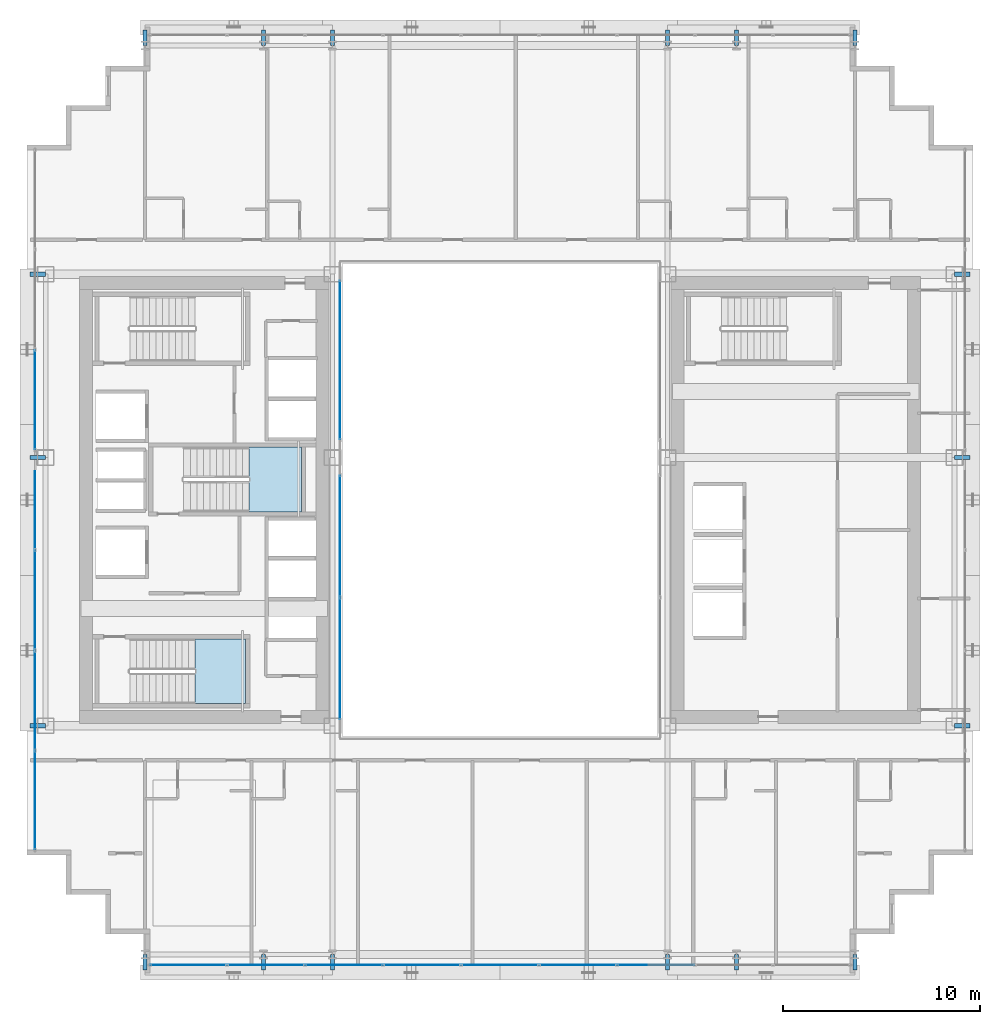
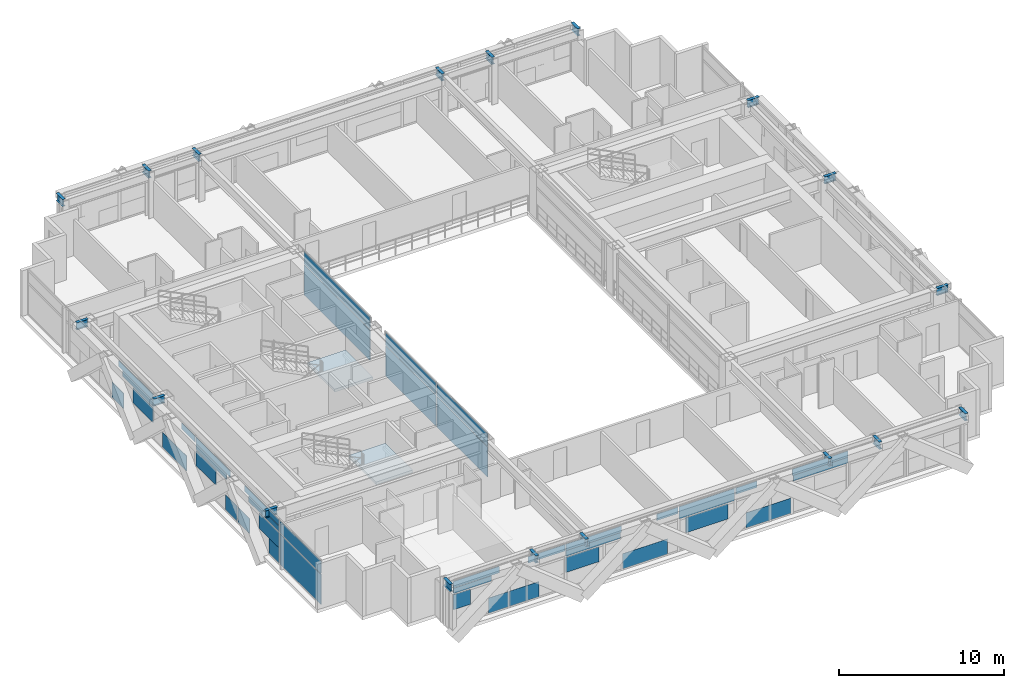
# One storey, part 26 of 39: 40 plates, 18 beams, 2 slabs, 6 elements without a shape of their own.
"""IFC4 building model written with IfcOpenShell, lengths in metres."""

from ifc_helpers import new_model, si_unit, direction, frame, origin, origin_2d, place, context, subcontext, project, spatial, polyline, rectangle, i_section, outline, extrude, source, transform, mapped, material, layer, layer_set, material_profile, profile_set, type_object, element, aggregate, save


model = new_model("IFC4")

# Units and contexts
model_context = context("Model", 3, precision=1e-05, world=origin(), true_north=direction((0.0, 1.0)))
body_context = subcontext(model_context, "Body", "Model", "MODEL_VIEW")
ifc_project = project(units=[si_unit("LENGTHUNIT", "METRE"), si_unit("AREAUNIT", "SQUARE_METRE"), si_unit("VOLUMEUNIT", "CUBIC_METRE"), si_unit("PLANEANGLEUNIT", "RADIAN"), si_unit("MASSUNIT", "GRAM", prefix="KILO")], contexts=[model_context])

# Site, building, storey
site_placement = place(None, origin())
site = spatial("IfcSite", under=ifc_project, at=site_placement, CompositionType="ELEMENT")
building_placement = place(site_placement, origin())
building = spatial("IfcBuilding", under=site, at=building_placement, Name="Ocotamira Hotel", CompositionType="ELEMENT")
storey_placement = place(building_placement, frame((0.0, 0.0, 126.0)))
storey = spatial("IfcBuildingStorey", under=building, at=storey_placement, Name="L31", CompositionType="ELEMENT", Elevation=126.0)

# Beams
ifc_material_1 = material(Name="Steel ASTM A992 Grade 50", Category="steel")
ifc_material_profile = material_profile(ifc_material_1, i_section(OverallWidth=0.2099609375, OverallDepth=0.537109375, WebThickness=0.010986328125, FlangeThickness=0.017333984375, FilletRadius=0.012939453125, at=origin_2d()), Name="W21X68")
ifc_profile_set = profile_set([ifc_material_profile], Name="Steel ASTM A992 Grade 50")
beam_type = type_object("IfcBeamType", Name="BM-SEC-W21X68", PredefinedType="JOIST", material=ifc_profile_set)
shared_shape_1 = source(origin(), body_context, "Body", "SweptSolid", [
    extrude(i_section(OverallWidth=0.2099609375, OverallDepth=0.537109375, WebThickness=0.010986328125, FlangeThickness=0.017333984375, FilletRadius=0.012939453125, at=origin_2d()), origin(), (0.0, 0.0, 1.0), 0.800048828125),
])
for number, where, z_axis, x_axis, name in (
    (1, (14.0, 2.949951171875, 3.091552734375), (0.0, -1.0, 0.0), (1.0, 0.0, 0.0), "L31 South Edge Header X14"),
    (2, (14.0, 49.050048828125, 3.091552734375), (0.0, 1.0, 0.0), (-1.0, 0.0, 0.0), "L31 North Edge Header X14"),
    (3, (20.0, 2.949951171875, 3.091552734375), (0.0, -1.0, 0.0), (1.0, 0.0, 0.0), "L31 South Edge Header X20"),
    (4, (20.0, 49.050048828125, 3.091552734375), (0.0, 1.0, 0.0), (-1.0, 0.0, 0.0), "L31 North Edge Header X20"),
    (5, (23.5, 2.949951171875, 3.091552734375), (0.0, -1.0, 0.0), (1.0, 0.0, 0.0), "L31 South Edge Header X23.5"),
    (6, (23.5, 49.050048828125, 3.091552734375), (0.0, 1.0, 0.0), (-1.0, 0.0, 0.0), "L31 North Edge Header X23.5"),
    (7, (40.5, 2.949951171875, 3.091552734375), (0.0, -1.0, 0.0), (1.0, 0.0, 0.0), "L31 South Edge Header X40.5"),
    (8, (40.5, 49.050048828125, 3.091552734375), (0.0, 1.0, 0.0), (-1.0, 0.0, 0.0), "L31 North Edge Header X40.5"),
    (9, (44.0, 2.949951171875, 3.091552734375), (0.0, -1.0, 0.0), (1.0, 0.0, 0.0), "L31 South Edge Header X44"),
    (10, (44.0, 49.050048828125, 3.091552734375), (0.0, 1.0, 0.0), (-1.0, 0.0, 0.0), "L31 North Edge Header X44"),
    (11, (50.0, 2.949951171875, 3.091552734375), (0.0, -1.0, 0.0), (1.0, 0.0, 0.0), "L31 South Edge Header X50"),
    (12, (50.0, 49.050048828125, 3.091552734375), (0.0, 1.0, 0.0), (-1.0, 0.0, 0.0), "L31 North Edge Header X50"),
    (13, (8.949951171875, 14.550048828125, 3.091552734375), (-1.0, 0.0, 0.0), (0.0, -1.0, 0.0), "L31 West Edge Header Y14.55"),
    (14, (55.050048828125, 14.550048828125, 3.091552734375), (1.0, 0.0, 0.0), (0.0, 1.0, 0.0), "L31 East Edge Header Y14.55"),
    (15, (8.949951171875, 28.14990234375, 3.091552734375), (-1.0, 0.0, 0.0), (0.0, -1.0, 0.0), "L31 West Edge Header Y28.15"),
    (16, (55.050048828125, 28.14990234375, 3.091552734375), (1.0, 0.0, 0.0), (0.0, 1.0, 0.0), "L31 East Edge Header Y28.15"),
    (17, (8.949951171875, 37.449951171875, 3.091552734375), (-1.0, 0.0, 0.0), (0.0, -1.0, 0.0), "L31 West Edge Header Y37.45"),
    (18, (55.050048828125, 37.449951171875, 3.091552734375), (1.0, 0.0, 0.0), (0.0, 1.0, 0.0), "L31 East Edge Header Y37.45"),
):
    element("IfcBeam", number, at=place(storey_placement, frame(where, z_axis=z_axis, x_axis=x_axis)), inside=storey, type_object=beam_type, Name=name, PredefinedType="JOIST", context=body_context, shape_type="MappedRepresentation", body=[
        mapped(shared_shape_1, transform((0.0, 0.0, 0.0), scale=1.0)),
    ])

# Stair, slab
ifc_material_2 = material(Name="Concrete C40/50", Category="concrete")
stair_type = type_object("IfcStairType", Name="ST-CORE-1560", PredefinedType="HALF_TURN_STAIR", material=ifc_material_2)
stair_1_placement = place(storey_placement, origin())
stair_1 = element("IfcStair", 19, at=stair_1_placement, inside=storey, type_object=stair_type, Name="L31 Exit Stair ST-1", PredefinedType="HALF_TURN_STAIR")
ifc_layer_1 = layer(ifc_material_2, 0.199951171875)
ifc_layer_set_1 = layer_set([ifc_layer_1], Name="Concrete C40/50")
slab_type = type_object("IfcSlabType", Name="SLB-LAND-200", PredefinedType="LANDING", material=ifc_layer_set_1)
slab_1_placement = place(storey_placement, frame((0.0, 0.0, 1.60009765625)))
slab_1 = element("IfcSlab", 20, at=slab_1_placement, type_object=slab_type, Name="ST-1 landing 1", PredefinedType="LANDING", context=body_context, shape_type="SweptSolid", body=[
    extrude(outline(polyline([(16.530029296875, 15.669921875), (19.090087890625, 15.669921875), (19.090087890625, 18.949951171875), (16.530029296875, 18.949951171875), (16.530029296875, 15.669921875)])), origin(), (0.0, 0.0, 1.0), 0.199951171875),
])
aggregate(stair_1, [slab_1])

stair_2_placement = place(storey_placement, origin())
stair_2 = element("IfcStair", 21, at=stair_2_placement, inside=storey, type_object=stair_type, Name="L31 Exit Stair ST-3", PredefinedType="HALF_TURN_STAIR")
slab_2_placement = place(storey_placement, frame((0.0, 0.0, 1.60009765625)))
slab_2 = element("IfcSlab", 22, at=slab_2_placement, type_object=slab_type, Name="ST-3 landing 1", PredefinedType="LANDING", context=body_context, shape_type="SweptSolid", body=[
    extrude(outline(polyline([(19.260009765625, 25.39990234375), (21.919921875, 25.39990234375), (21.919921875, 28.679931640625), (19.260009765625, 28.679931640625), (19.260009765625, 25.39990234375)])), origin(), (0.0, 0.0, 1.0), 0.199951171875),
])
aggregate(stair_2, [slab_2])

# Curtain wall, plate
ifc_material_3 = material(Name="Anodised pale-metal aluminium and solar glass", Category="aluminium")
ifc_layer_2 = layer(ifc_material_3, 0.179931640625)
ifc_layer_set_2 = layer_set([ifc_layer_2], Name="Anodised pale-metal aluminium and solar glass")
curtain_wall_type_1 = type_object("IfcCurtainWallType", Name="CW-SYS3-Z2", PredefinedType="NOTDEFINED", material=ifc_layer_set_2)
curtain_wall_1_placement = place(storey_placement, origin())
curtain_wall_1 = element("IfcCurtainWall", 23, at=curtain_wall_1_placement, inside=storey, type_object=curtain_wall_type_1, Name="L31 Curtain Wall CW-3 CW-L31-W", PredefinedType="NOTDEFINED")
ifc_material_4 = material(Name="Double-silver low-E insulated solar glass", Category="glass")
ifc_layer_3 = layer(ifc_material_4, 0.031982421875)
ifc_layer_set_3 = layer_set([ifc_layer_3], Name="Double-silver low-E insulated solar glass")
plate_type = type_object("IfcPlateType", Name="CWP-VISION-32", PredefinedType="CURTAIN_PANEL", material=ifc_layer_set_3)
shared_shape_2 = source(origin(), body_context, "Body", "SweptSolid", [
    extrude(rectangle(XDim=4.9658203125, YDim=0.031982421875, at=origin_2d()), origin(), (0.0, 0.0, 1.0), 2.237548828125),
])
plate_1_placement = place(storey_placement, frame((8.419921875, 10.762939453125, 0.0751953125), z_axis=(0.0, 0.0, 1.0), x_axis=(0.0, 1.0, 0.0)))
plate_1 = element("IfcPlate", 24, at=plate_1_placement, type_object=plate_type, Name="CW-3 panel 1.1", PredefinedType="CURTAIN_PANEL", context=body_context, shape_type="MappedRepresentation", body=[
    mapped(shared_shape_2, transform((0.0, 0.0, 0.0), scale=1.0)),
])

# Curtain wall, plates
ifc_layer_4 = layer(ifc_material_3, 0.159912109375)
ifc_layer_set_4 = layer_set([ifc_layer_4], Name="Anodised pale-metal aluminium and solar glass")
curtain_wall_type_2 = type_object("IfcCurtainWallType", Name="CW-SYS6-ATR", PredefinedType="NOTDEFINED", material=ifc_layer_set_4)
curtain_wall_2_placement = place(storey_placement, origin())
curtain_wall_2 = element("IfcCurtainWall", 25, at=curtain_wall_2_placement, inside=storey, type_object=curtain_wall_type_2, Name="L31 Curtain Wall CW-6 CW-L31-ATRW1", PredefinedType="NOTDEFINED")
shared_shape_3 = source(origin(), body_context, "Body", "SweptSolid", [
    extrude(rectangle(XDim=6.1298828125, YDim=0.031982421875, at=origin_2d()), origin(), (0.0, 0.0, 1.0), 2.237548828125),
])
plate_2_placement = place(storey_placement, frame((23.8798828125, 17.945068359375, 0.0751953125), z_axis=(0.0, 0.0, 1.0), x_axis=(0.0, 1.0, 0.0)))
plate_2 = element("IfcPlate", 26, at=plate_2_placement, type_object=plate_type, Name="CW-6 panel 1.1", PredefinedType="CURTAIN_PANEL", context=body_context, shape_type="MappedRepresentation", body=[
    mapped(shared_shape_3, transform((0.0, 0.0, 0.0), scale=1.0)),
])
plate_3_placement = place(storey_placement, frame((23.8798828125, 24.155029296875, 0.0751953125), z_axis=(0.0, 0.0, 1.0), x_axis=(0.0, 1.0, 0.0)))
plate_3 = element("IfcPlate", 27, at=plate_3_placement, type_object=plate_type, Name="CW-6 panel 2.1", PredefinedType="CURTAIN_PANEL", context=body_context, shape_type="MappedRepresentation", body=[
    mapped(shared_shape_3, transform((0.0, 0.0, 0.0), scale=1.0)),
])

# Curtain wall, plate
curtain_wall_3_placement = place(storey_placement, origin())
curtain_wall_3 = element("IfcCurtainWall", 28, at=curtain_wall_3_placement, inside=storey, type_object=curtain_wall_type_2, Name="L31 Curtain Wall CW-6 CW-L31-ATRW2", PredefinedType="NOTDEFINED")
shared_shape_4 = source(origin(), body_context, "Body", "SweptSolid", [
    extrude(rectangle(XDim=8.0400390625, YDim=0.031982421875, at=origin_2d()), origin(), (0.0, 0.0, 1.0), 2.237548828125),
])
plate_4_placement = place(storey_placement, frame((23.8798828125, 33.10009765625, 0.0751953125), z_axis=(0.0, 0.0, 1.0), x_axis=(0.0, 1.0, 0.0)))
plate_4 = element("IfcPlate", 29, at=plate_4_placement, type_object=plate_type, Name="CW-6 panel 1.1", PredefinedType="CURTAIN_PANEL", context=body_context, shape_type="MappedRepresentation", body=[
    mapped(shared_shape_4, transform((0.0, 0.0, 0.0), scale=1.0)),
])

# Curtain wall, plates
curtain_wall_4_placement = place(storey_placement, origin())
curtain_wall_4 = element("IfcCurtainWall", 30, at=curtain_wall_4_placement, inside=storey, type_object=curtain_wall_type_1, Name="L31 Curtain Wall CW-3 CW-L31-S1", PredefinedType="NOTDEFINED")
shared_shape_5 = source(origin(), body_context, "Body", "SweptSolid", [
    extrude(rectangle(XDim=1.184326171875, YDim=0.031982421875, at=origin_2d()), origin(), (0.0, 0.0, 1.0), 1.118896484375),
])
plate_5_placement = place(storey_placement, frame((14.872314453125, 2.419921875, 1.19384765625), z_axis=(0.0, 0.0, 1.0), x_axis=(1.0, 0.0, 0.0)))
plate_5 = element("IfcPlate", 31, at=plate_5_placement, type_object=plate_type, Name="CW-3 panel 1.1.1", PredefinedType="CURTAIN_PANEL", context=body_context, shape_type="MappedRepresentation", body=[
    mapped(shared_shape_5, transform((0.0, 0.0, 0.0), scale=1.0)),
])
shared_shape_6 = source(origin(), body_context, "Body", "SweptSolid", [
    extrude(rectangle(XDim=1.37060546875, YDim=0.031982421875, at=origin_2d()), origin(), (0.0, 0.0, 1.0), 1.11865234375),
])
plate_6_placement = place(storey_placement, frame((17.430419921875, 2.419921875, 0.0751953125), z_axis=(0.0, 0.0, 1.0), x_axis=(1.0, 0.0, 0.0)))
plate_6 = element("IfcPlate", 32, at=plate_6_placement, type_object=plate_type, Name="CW-3 panel 1.1.2", PredefinedType="CURTAIN_PANEL", context=body_context, shape_type="MappedRepresentation", body=[
    mapped(shared_shape_6, transform((0.0, 0.0, 0.0), scale=1.0)),
])
shared_shape_7 = source(origin(), body_context, "Body", "SweptSolid", [
    extrude(rectangle(XDim=2.676513671875, YDim=0.031982421875, at=origin_2d()), origin(), (0.0, 0.0, 1.0), 0.39453125),
])
plate_7_placement = place(storey_placement, frame((15.618408203125, 2.419921875, 2.387451171875), z_axis=(0.0, 0.0, 1.0), x_axis=(1.0, 0.0, 0.0)))
plate_7 = element("IfcPlate", 33, at=plate_7_placement, type_object=plate_type, Name="CW-3 panel 1.2.1", PredefinedType="CURTAIN_PANEL", context=body_context, shape_type="MappedRepresentation", body=[
    mapped(shared_shape_7, transform((0.0, 0.0, 0.0), scale=1.0)),
])
shared_shape_8 = source(origin(), body_context, "Body", "SweptSolid", [
    extrude(rectangle(XDim=3.208740234375, YDim=0.031982421875, at=origin_2d()), origin(), (0.0, 0.0, 1.0), 0.4716796875),
])
plate_8_placement = place(storey_placement, frame((15.884521484375, 2.419921875, 2.813232421875), z_axis=(0.0, 0.0, 1.0), x_axis=(1.0, 0.0, 0.0)))
plate_8 = element("IfcPlate", 34, at=plate_8_placement, type_object=plate_type, Name="CW-3 panel 1.2.2", PredefinedType="CURTAIN_PANEL", context=body_context, shape_type="MappedRepresentation", body=[
    mapped(shared_shape_8, transform((0.0, 0.0, 0.0), scale=1.0)),
])
shared_shape_9 = source(origin(), body_context, "Body", "SweptSolid", [
    extrude(rectangle(XDim=2.059326171875, YDim=0.031982421875, at=origin_2d()), origin(), (0.0, 0.0, 1.0), 1.11865234375),
])
plate_9_placement = place(storey_placement, frame((19.225341796875, 2.419921875, 0.0751953125), z_axis=(0.0, 0.0, 1.0), x_axis=(1.0, 0.0, 0.0)))
plate_9 = element("IfcPlate", 35, at=plate_9_placement, type_object=plate_type, Name="CW-3 panel 2.1.1", PredefinedType="CURTAIN_PANEL", context=body_context, shape_type="MappedRepresentation", body=[
    mapped(shared_shape_9, transform((0.0, 0.0, 0.0), scale=1.0)),
])
shared_shape_10 = source(origin(), body_context, "Body", "SweptSolid", [
    extrude(rectangle(XDim=2.559814453125, YDim=0.031982421875, at=origin_2d()), origin(), (0.0, 0.0, 1.0), 0.4716796875),
])
plate_10_placement = place(storey_placement, frame((20.791259765625, 2.419921875, 2.813232421875), z_axis=(0.0, 0.0, 1.0), x_axis=(1.0, 0.0, 0.0)))
plate_10 = element("IfcPlate", 36, at=plate_10_placement, type_object=plate_type, Name="CW-3 panel 2.2.1", PredefinedType="CURTAIN_PANEL", context=body_context, shape_type="MappedRepresentation", body=[
    mapped(shared_shape_10, transform((0.0, 0.0, 0.0), scale=1.0)),
])
shared_shape_11 = source(origin(), body_context, "Body", "SweptSolid", [
    extrude(rectangle(XDim=2.313232421875, YDim=0.031982421875, at=origin_2d()), origin(), (0.0, 0.0, 1.0), 1.118896484375),
])
plate_11_placement = place(storey_placement, frame((23.3076171875, 2.419921875, 1.19384765625), z_axis=(0.0, 0.0, 1.0), x_axis=(1.0, 0.0, 0.0)))
plate_11 = element("IfcPlate", 37, at=plate_11_placement, type_object=plate_type, Name="CW-3 panel 3.1.1", PredefinedType="CURTAIN_PANEL", context=body_context, shape_type="MappedRepresentation", body=[
    mapped(shared_shape_11, transform((0.0, 0.0, 0.0), scale=1.0)),
])
shared_shape_12 = source(origin(), body_context, "Body", "SweptSolid", [
    extrude(rectangle(XDim=3.805419921875, YDim=0.031982421875, at=origin_2d()), origin(), (0.0, 0.0, 1.0), 0.42578125),
])
plate_12_placement = place(storey_placement, frame((24.0537109375, 2.419921875, 2.387451171875), z_axis=(0.0, 0.0, 1.0), x_axis=(1.0, 0.0, 0.0)))
plate_12 = element("IfcPlate", 38, at=plate_12_placement, type_object=plate_type, Name="CW-3 panel 3.2.1", PredefinedType="CURTAIN_PANEL", context=body_context, shape_type="MappedRepresentation", body=[
    mapped(shared_shape_12, transform((0.0, 0.0, 0.0), scale=1.0)),
])
plate_13_placement = place(storey_placement, frame((39.9462890625, 2.419921875, 2.387451171875), z_axis=(0.0, 0.0, 1.0), x_axis=(1.0, 0.0, 0.0)))
plate_13 = element("IfcPlate", 39, at=plate_13_placement, type_object=plate_type, Name="CW-3 panel 7.2.2", PredefinedType="CURTAIN_PANEL", context=body_context, shape_type="MappedRepresentation", body=[
    mapped(shared_shape_12, transform((0.0, 0.0, 0.0), scale=1.0)),
])
shared_shape_13 = source(origin(), body_context, "Body", "SweptSolid", [
    extrude(rectangle(XDim=3.87548828125, YDim=0.031982421875, at=origin_2d()), origin(), (0.0, 0.0, 1.0), 0.4716796875),
])
plate_14_placement = place(storey_placement, frame((24.0888671875, 2.419921875, 2.813232421875), z_axis=(0.0, 0.0, 1.0), x_axis=(1.0, 0.0, 0.0)))
plate_14 = element("IfcPlate", 40, at=plate_14_placement, type_object=plate_type, Name="CW-3 panel 3.2.2", PredefinedType="CURTAIN_PANEL", context=body_context, shape_type="MappedRepresentation", body=[
    mapped(shared_shape_13, transform((0.0, 0.0, 0.0), scale=1.0)),
])
plate_15_placement = place(storey_placement, frame((39.9111328125, 2.419921875, 2.813232421875), z_axis=(0.0, 0.0, 1.0), x_axis=(1.0, 0.0, 0.0)))
plate_15 = element("IfcPlate", 41, at=plate_15_placement, type_object=plate_type, Name="CW-3 panel 7.2.1", PredefinedType="CURTAIN_PANEL", context=body_context, shape_type="MappedRepresentation", body=[
    mapped(shared_shape_13, transform((0.0, 0.0, 0.0), scale=1.0)),
])
shared_shape_14 = source(origin(), body_context, "Body", "SweptSolid", [
    extrude(rectangle(XDim=3.148193359375, YDim=0.031982421875, at=origin_2d()), origin(), (0.0, 0.0, 1.0), 1.11865234375),
])
plate_16_placement = place(storey_placement, frame((27.680908203125, 2.419921875, 0.0751953125), z_axis=(0.0, 0.0, 1.0), x_axis=(1.0, 0.0, 0.0)))
plate_16 = element("IfcPlate", 42, at=plate_16_placement, type_object=plate_type, Name="CW-3 panel 4.1.1", PredefinedType="CURTAIN_PANEL", context=body_context, shape_type="MappedRepresentation", body=[
    mapped(shared_shape_14, transform((0.0, 0.0, 0.0), scale=1.0)),
])
plate_17_placement = place(storey_placement, frame((36.319091796875, 2.419921875, 0.0751953125), z_axis=(0.0, 0.0, 1.0), x_axis=(1.0, 0.0, 0.0)))
plate_17 = element("IfcPlate", 43, at=plate_17_placement, type_object=plate_type, Name="CW-3 panel 6.1.1", PredefinedType="CURTAIN_PANEL", context=body_context, shape_type="MappedRepresentation", body=[
    mapped(shared_shape_14, transform((0.0, 0.0, 0.0), scale=1.0)),
])
shared_shape_15 = source(origin(), body_context, "Body", "SweptSolid", [
    extrude(rectangle(XDim=1.470947265625, YDim=0.031982421875, at=origin_2d()), origin(), (0.0, 0.0, 1.0), 0.4716796875),
])
plate_18_placement = place(storey_placement, frame((29.24658203125, 2.419921875, 2.813232421875), z_axis=(0.0, 0.0, 1.0), x_axis=(1.0, 0.0, 0.0)))
plate_18 = element("IfcPlate", 44, at=plate_18_placement, type_object=plate_type, Name="CW-3 panel 4.2.1", PredefinedType="CURTAIN_PANEL", context=body_context, shape_type="MappedRepresentation", body=[
    mapped(shared_shape_15, transform((0.0, 0.0, 0.0), scale=1.0)),
])
plate_19_placement = place(storey_placement, frame((34.75341796875, 2.419921875, 2.813232421875), z_axis=(0.0, 0.0, 1.0), x_axis=(1.0, 0.0, 0.0)))
plate_19 = element("IfcPlate", 45, at=plate_19_placement, type_object=plate_type, Name="CW-3 panel 6.2.1", PredefinedType="CURTAIN_PANEL", context=body_context, shape_type="MappedRepresentation", body=[
    mapped(shared_shape_15, transform((0.0, 0.0, 0.0), scale=1.0)),
])
shared_shape_16 = source(origin(), body_context, "Body", "SweptSolid", [
    extrude(rectangle(XDim=2.9287109375, YDim=0.031982421875, at=origin_2d()), origin(), (0.0, 0.0, 1.0), 1.118896484375),
])
plate_20_placement = place(storey_placement, frame((32.0, 2.419921875, 1.19384765625), z_axis=(0.0, 0.0, 1.0), x_axis=(1.0, 0.0, 0.0)))
plate_20 = element("IfcPlate", 46, at=plate_20_placement, type_object=plate_type, Name="CW-3 panel 5.1.1", PredefinedType="CURTAIN_PANEL", context=body_context, shape_type="MappedRepresentation", body=[
    mapped(shared_shape_16, transform((0.0, 0.0, 0.0), scale=1.0)),
])
shared_shape_17 = source(origin(), body_context, "Body", "SweptSolid", [
    extrude(rectangle(XDim=3.87548828125, YDim=0.031982421875, at=origin_2d()), origin(), (0.0, 0.0, 1.0), 0.8974609375),
])
plate_21_placement = place(storey_placement, frame((32.0, 2.419921875, 2.387451171875), z_axis=(0.0, 0.0, 1.0), x_axis=(1.0, 0.0, 0.0)))
plate_21 = element("IfcPlate", 47, at=plate_21_placement, type_object=plate_type, Name="CW-3 panel 5.2", PredefinedType="CURTAIN_PANEL", context=body_context, shape_type="MappedRepresentation", body=[
    mapped(shared_shape_17, transform((0.0, 0.0, 0.0), scale=1.0)),
])
aggregate(curtain_wall_4, [plate_5, plate_6, plate_7, plate_8, plate_9, plate_10, plate_11, plate_12, plate_14, plate_16, plate_18, plate_20, plate_21, plate_17, plate_19, plate_15, plate_13])

# Plate
shared_shape_18 = source(origin(), body_context, "Body", "SweptSolid", [
    extrude(rectangle(XDim=4.9658203125, YDim=0.031982421875, at=origin_2d()), origin(), (0.0, 0.0, 1.0), 0.8974609375),
])
plate_22_placement = place(storey_placement, frame((8.419921875, 10.762939453125, 2.387451171875), z_axis=(0.0, 0.0, 1.0), x_axis=(0.0, 1.0, 0.0)))
plate_22 = element("IfcPlate", 48, at=plate_22_placement, type_object=plate_type, Name="CW-3 panel 1.2", PredefinedType="CURTAIN_PANEL", context=body_context, shape_type="MappedRepresentation", body=[
    mapped(shared_shape_18, transform((0.0, 0.0, 0.0), scale=1.0)),
])

shared_shape_19 = source(origin(), body_context, "Body", "SweptSolid", [
    extrude(rectangle(XDim=1.240234375, YDim=0.031982421875, at=origin_2d()), origin(), (0.0, 0.0, 1.0), 1.11865234375),
])
plate_23_placement = place(storey_placement, frame((8.419921875, 13.94580078125, 0.0751953125), z_axis=(0.0, 0.0, 1.0), x_axis=(0.0, 1.0, 0.0)))
plate_23 = element("IfcPlate", 49, at=plate_23_placement, type_object=plate_type, Name="CW-3 panel 2.1.1", PredefinedType="CURTAIN_PANEL", context=body_context, shape_type="MappedRepresentation", body=[
    mapped(shared_shape_19, transform((0.0, 0.0, 0.0), scale=1.0)),
])

shared_shape_20 = source(origin(), body_context, "Body", "SweptSolid", [
    extrude(rectangle(XDim=2.426513671875, YDim=0.031982421875, at=origin_2d()), origin(), (0.0, 0.0, 1.0), 1.118896484375),
])
plate_24_placement = place(storey_placement, frame((8.419921875, 14.538818359375, 1.19384765625), z_axis=(0.0, 0.0, 1.0), x_axis=(0.0, 1.0, 0.0)))
plate_24 = element("IfcPlate", 50, at=plate_24_placement, type_object=plate_type, Name="CW-3 panel 2.1.2", PredefinedType="CURTAIN_PANEL", context=body_context, shape_type="MappedRepresentation", body=[
    mapped(shared_shape_20, transform((0.0, 0.0, 0.0), scale=1.0)),
])

shared_shape_21 = source(origin(), body_context, "Body", "SweptSolid", [
    extrude(rectangle(XDim=1.413330078125, YDim=0.031982421875, at=origin_2d()), origin(), (0.0, 0.0, 1.0), 1.11865234375),
])
plate_25_placement = place(storey_placement, frame((8.419921875, 17.624755859375, 0.0751953125), z_axis=(0.0, 0.0, 1.0), x_axis=(0.0, 1.0, 0.0)))
plate_25 = element("IfcPlate", 51, at=plate_25_placement, type_object=plate_type, Name="CW-3 panel 2.1.3", PredefinedType="CURTAIN_PANEL", context=body_context, shape_type="MappedRepresentation", body=[
    mapped(shared_shape_21, transform((0.0, 0.0, 0.0), scale=1.0)),
])

shared_shape_22 = source(origin(), body_context, "Body", "SweptSolid", [
    extrude(rectangle(XDim=3.69189453125, YDim=0.031982421875, at=origin_2d()), origin(), (0.0, 0.0, 1.0), 0.414306640625),
])
plate_26_placement = place(storey_placement, frame((8.419921875, 15.171630859375, 2.3876953125), z_axis=(0.0, 0.0, 1.0), x_axis=(0.0, 1.0, 0.0)))
plate_26 = element("IfcPlate", 52, at=plate_26_placement, type_object=plate_type, Name="CW-3 panel 2.2.1", PredefinedType="CURTAIN_PANEL", context=body_context, shape_type="MappedRepresentation", body=[
    mapped(shared_shape_22, transform((0.0, 0.0, 0.0), scale=1.0)),
])

shared_shape_23 = source(origin(), body_context, "Body", "SweptSolid", [
    extrude(rectangle(XDim=4.16748046875, YDim=0.031982421875, at=origin_2d()), origin(), (0.0, 0.0, 1.0), 0.44873046875),
])
plate_27_placement = place(storey_placement, frame((8.419921875, 15.409423828125, 2.836181640625), z_axis=(0.0, 0.0, 1.0), x_axis=(0.0, 1.0, 0.0)))
plate_27 = element("IfcPlate", 53, at=plate_27_placement, type_object=plate_type, Name="CW-3 panel 2.2.2", PredefinedType="CURTAIN_PANEL", context=body_context, shape_type="MappedRepresentation", body=[
    mapped(shared_shape_23, transform((0.0, 0.0, 0.0), scale=1.0)),
])

shared_shape_24 = source(origin(), body_context, "Body", "SweptSolid", [
    extrude(rectangle(XDim=1.40380859375, YDim=0.031982421875, at=origin_2d()), origin(), (0.0, 0.0, 1.0), 1.11865234375),
])
plate_28_placement = place(storey_placement, frame((8.419921875, 19.11328125, 0.0751953125), z_axis=(0.0, 0.0, 1.0), x_axis=(0.0, 1.0, 0.0)))
plate_28 = element("IfcPlate", 54, at=plate_28_placement, type_object=plate_type, Name="CW-3 panel 3.1.1", PredefinedType="CURTAIN_PANEL", context=body_context, shape_type="MappedRepresentation", body=[
    mapped(shared_shape_24, transform((0.0, 0.0, 0.0), scale=1.0)),
])

plate_29_placement = place(storey_placement, frame((8.419921875, 32.88671875, 0.0751953125), z_axis=(0.0, 0.0, 1.0), x_axis=(0.0, 1.0, 0.0)))
plate_29 = element("IfcPlate", 55, at=plate_29_placement, type_object=plate_type, Name="CW-3 panel 5.1.2", PredefinedType="CURTAIN_PANEL", context=body_context, shape_type="MappedRepresentation", body=[
    mapped(shared_shape_24, transform((0.0, 0.0, 0.0), scale=1.0)),
])

shared_shape_25 = source(origin(), body_context, "Body", "SweptSolid", [
    extrude(rectangle(XDim=2.404296875, YDim=0.031982421875, at=origin_2d()), origin(), (0.0, 0.0, 1.0), 1.118896484375),
])
plate_30_placement = place(storey_placement, frame((8.419921875, 22.183349609375, 1.19384765625), z_axis=(0.0, 0.0, 1.0), x_axis=(0.0, 1.0, 0.0)))
plate_30 = element("IfcPlate", 56, at=plate_30_placement, type_object=plate_type, Name="CW-3 panel 3.1.2", PredefinedType="CURTAIN_PANEL", context=body_context, shape_type="MappedRepresentation", body=[
    mapped(shared_shape_25, transform((0.0, 0.0, 0.0), scale=1.0)),
])

plate_31_placement = place(storey_placement, frame((8.419921875, 29.816650390625, 1.19384765625), z_axis=(0.0, 0.0, 1.0), x_axis=(0.0, 1.0, 0.0)))
plate_31 = element("IfcPlate", 57, at=plate_31_placement, type_object=plate_type, Name="CW-3 panel 5.1.1", PredefinedType="CURTAIN_PANEL", context=body_context, shape_type="MappedRepresentation", body=[
    mapped(shared_shape_25, transform((0.0, 0.0, 0.0), scale=1.0)),
])

shared_shape_26 = source(origin(), body_context, "Body", "SweptSolid", [
    extrude(rectangle(XDim=4.17724609375, YDim=0.031982421875, at=origin_2d()), origin(), (0.0, 0.0, 1.0), 0.44873046875),
])
plate_32_placement = place(storey_placement, frame((8.419921875, 21.32861328125, 2.836181640625), z_axis=(0.0, 0.0, 1.0), x_axis=(0.0, 1.0, 0.0)))
plate_32 = element("IfcPlate", 58, at=plate_32_placement, type_object=plate_type, Name="CW-3 panel 3.2.1", PredefinedType="CURTAIN_PANEL", context=body_context, shape_type="MappedRepresentation", body=[
    mapped(shared_shape_26, transform((0.0, 0.0, 0.0), scale=1.0)),
])

plate_33_placement = place(storey_placement, frame((8.419921875, 30.67138671875, 2.836181640625), z_axis=(0.0, 0.0, 1.0), x_axis=(0.0, 1.0, 0.0)))
plate_33 = element("IfcPlate", 59, at=plate_33_placement, type_object=plate_type, Name="CW-3 panel 5.2.2", PredefinedType="CURTAIN_PANEL", context=body_context, shape_type="MappedRepresentation", body=[
    mapped(shared_shape_26, transform((0.0, 0.0, 0.0), scale=1.0)),
])

shared_shape_27 = source(origin(), body_context, "Body", "SweptSolid", [
    extrude(rectangle(XDim=3.70166015625, YDim=0.031982421875, at=origin_2d()), origin(), (0.0, 0.0, 1.0), 0.414306640625),
])
plate_34_placement = place(storey_placement, frame((8.419921875, 21.56640625, 2.3876953125), z_axis=(0.0, 0.0, 1.0), x_axis=(0.0, 1.0, 0.0)))
plate_34 = element("IfcPlate", 60, at=plate_34_placement, type_object=plate_type, Name="CW-3 panel 3.2.2", PredefinedType="CURTAIN_PANEL", context=body_context, shape_type="MappedRepresentation", body=[
    mapped(shared_shape_27, transform((0.0, 0.0, 0.0), scale=1.0)),
])

plate_35_placement = place(storey_placement, frame((8.419921875, 30.43359375, 2.3876953125), z_axis=(0.0, 0.0, 1.0), x_axis=(0.0, 1.0, 0.0)))
plate_35 = element("IfcPlate", 61, at=plate_35_placement, type_object=plate_type, Name="CW-3 panel 5.2.1", PredefinedType="CURTAIN_PANEL", context=body_context, shape_type="MappedRepresentation", body=[
    mapped(shared_shape_27, transform((0.0, 0.0, 0.0), scale=1.0)),
])

shared_shape_28 = source(origin(), body_context, "Body", "SweptSolid", [
    extrude(rectangle(XDim=2.897216796875, YDim=0.031982421875, at=origin_2d()), origin(), (0.0, 0.0, 1.0), 1.11865234375),
])
plate_36_placement = place(storey_placement, frame((8.419921875, 26.0, 0.0751953125), z_axis=(0.0, 0.0, 1.0), x_axis=(0.0, 1.0, 0.0)))
plate_36 = element("IfcPlate", 62, at=plate_36_placement, type_object=plate_type, Name="CW-3 panel 4.1.1", PredefinedType="CURTAIN_PANEL", context=body_context, shape_type="MappedRepresentation", body=[
    mapped(shared_shape_28, transform((0.0, 0.0, 0.0), scale=1.0)),
])

shared_shape_29 = source(origin(), body_context, "Body", "SweptSolid", [
    extrude(rectangle(XDim=1.629638671875, YDim=0.031982421875, at=origin_2d()), origin(), (0.0, 0.0, 1.0), 0.44873046875),
])
plate_37_placement = place(storey_placement, frame((8.419921875, 24.31201171875, 2.836181640625), z_axis=(0.0, 0.0, 1.0), x_axis=(0.0, 1.0, 0.0)))
plate_37 = element("IfcPlate", 63, at=plate_37_placement, type_object=plate_type, Name="CW-3 panel 4.2.1", PredefinedType="CURTAIN_PANEL", context=body_context, shape_type="MappedRepresentation", body=[
    mapped(shared_shape_29, transform((0.0, 0.0, 0.0), scale=1.0)),
])

aggregate(curtain_wall_1, [plate_1, plate_22, plate_23, plate_24, plate_25, plate_26, plate_27, plate_28, plate_30, plate_32, plate_34, plate_36, plate_37, plate_31, plate_29, plate_35, plate_33])

shared_shape_30 = source(origin(), body_context, "Body", "SweptSolid", [
    extrude(rectangle(XDim=6.1298828125, YDim=0.031982421875, at=origin_2d()), origin(), (0.0, 0.0, 1.0), 0.8974609375),
])
plate_38_placement = place(storey_placement, frame((23.8798828125, 17.945068359375, 2.387451171875), z_axis=(0.0, 0.0, 1.0), x_axis=(0.0, 1.0, 0.0)))
plate_38 = element("IfcPlate", 64, at=plate_38_placement, type_object=plate_type, Name="CW-6 panel 1.2", PredefinedType="CURTAIN_PANEL", context=body_context, shape_type="MappedRepresentation", body=[
    mapped(shared_shape_30, transform((0.0, 0.0, 0.0), scale=1.0)),
])

plate_39_placement = place(storey_placement, frame((23.8798828125, 24.155029296875, 2.387451171875), z_axis=(0.0, 0.0, 1.0), x_axis=(0.0, 1.0, 0.0)))
plate_39 = element("IfcPlate", 65, at=plate_39_placement, type_object=plate_type, Name="CW-6 panel 2.2", PredefinedType="CURTAIN_PANEL", context=body_context, shape_type="MappedRepresentation", body=[
    mapped(shared_shape_30, transform((0.0, 0.0, 0.0), scale=1.0)),
])

aggregate(curtain_wall_2, [plate_2, plate_38, plate_3, plate_39])

shared_shape_31 = source(origin(), body_context, "Body", "SweptSolid", [
    extrude(rectangle(XDim=8.0400390625, YDim=0.031982421875, at=origin_2d()), origin(), (0.0, 0.0, 1.0), 0.8974609375),
])
plate_40_placement = place(storey_placement, frame((23.8798828125, 33.10009765625, 2.387451171875), z_axis=(0.0, 0.0, 1.0), x_axis=(0.0, 1.0, 0.0)))
plate_40 = element("IfcPlate", 66, at=plate_40_placement, type_object=plate_type, Name="CW-6 panel 1.2", PredefinedType="CURTAIN_PANEL", context=body_context, shape_type="MappedRepresentation", body=[
    mapped(shared_shape_31, transform((0.0, 0.0, 0.0), scale=1.0)),
])

aggregate(curtain_wall_3, [plate_4, plate_40])

save(model, "model.ifc")
